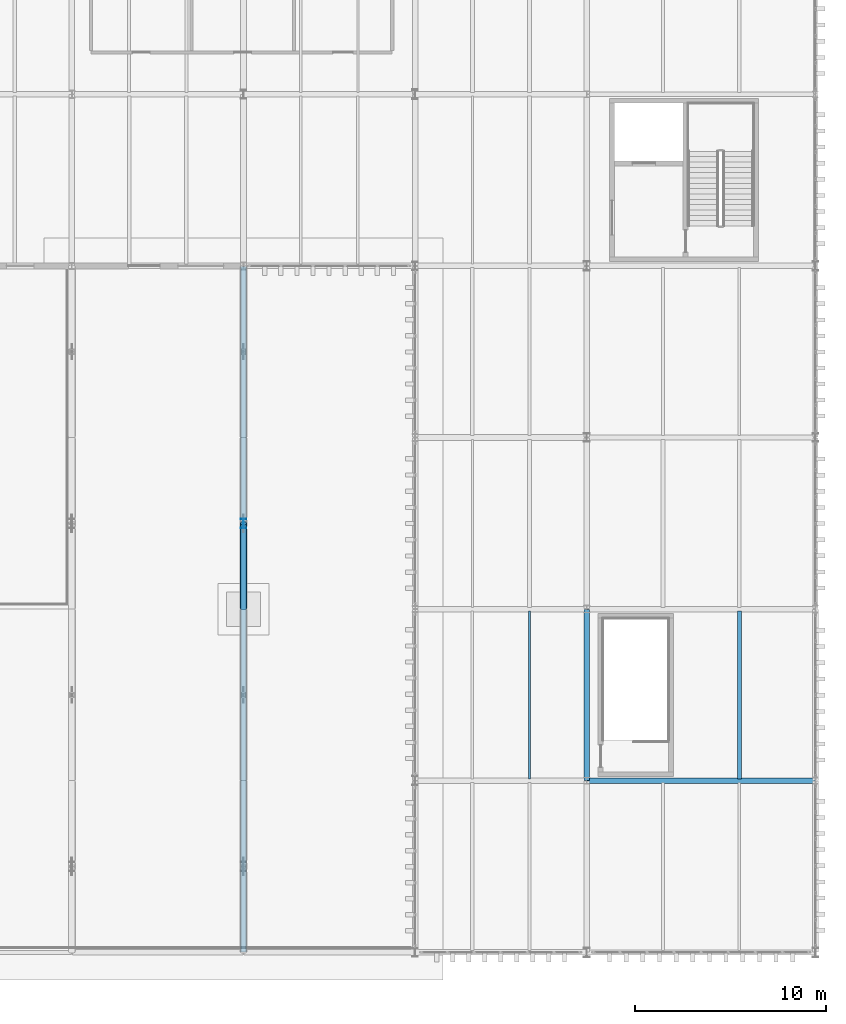
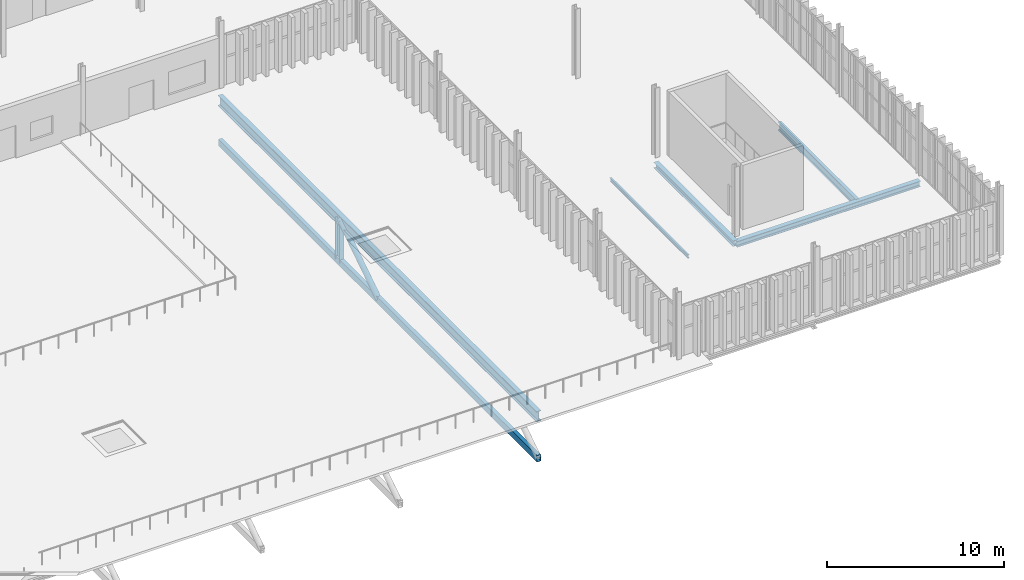
# One storey, part 108 of 196: 5 beams, 3 members.
"""IFC4 building model written with IfcOpenShell, lengths in metres."""

from ifc_helpers import new_model, si_unit, direction, frame, origin, origin_2d, place, context, subcontext, project, spatial, hollow_rectangle, hollow_circle, i_section, extrude, material, material_profile, profile_set, type_object, element, save


model = new_model("IFC4")

# Units and contexts
model_context = context("Model", 3, precision=1e-05, world=origin(), true_north=direction((0.0, 1.0)))
body_context = subcontext(model_context, "Body", "Model", "MODEL_VIEW")
ifc_project = project(units=[si_unit("LENGTHUNIT", "METRE"), si_unit("AREAUNIT", "SQUARE_METRE"), si_unit("VOLUMEUNIT", "CUBIC_METRE"), si_unit("PLANEANGLEUNIT", "RADIAN"), si_unit("MASSUNIT", "GRAM", prefix="KILO")], contexts=[model_context])

# Site, building, storey
site_placement = place(None, origin())
site = spatial("IfcSite", under=ifc_project, at=site_placement, CompositionType="ELEMENT")
building_placement = place(site_placement, origin())
building = spatial("IfcBuilding", under=site, at=building_placement, Name="Barlavento Convention Centre", CompositionType="ELEMENT")
storey_placement = place(building_placement, frame((0.0, 0.0, 18.0)))
storey = spatial("IfcBuildingStorey", under=building, at=storey_placement, Name="L03", CompositionType="ELEMENT", Elevation=18.0)

# Beams
ifc_material_1 = material(Name="Steel S355", Category="steel")
ifc_material_profile_1 = material_profile(ifc_material_1, i_section(OverallWidth=0.1201171875, OverallDepth=0.239990234375, WebThickness=0.006103515625, FlangeThickness=0.009765625, FilletRadius=0.014892578125, at=origin_2d()), Name="IPE 240")
ifc_profile_set_1 = profile_set([ifc_material_profile_1], Name="Steel S355")
beam_type_1 = type_object("IfcBeamType", Name="STR-BM-JST-IPE240", PredefinedType="JOIST", material=ifc_profile_set_1)
beam_1_placement = place(storey_placement, frame((177.0, 9.094970703125, -0.510009765625), z_axis=(0.0, 1.0, 0.0), x_axis=(-1.0, 0.0, 0.0)))
element("IfcBeam", 1, at=beam_1_placement, inside=storey, type_object=beam_type_1, Name="L03 composite floor joist SJ09", PredefinedType="JOIST", context=body_context, shape_type="SweptSolid", body=[
    extrude(i_section(OverallWidth=0.1201171875, OverallDepth=0.239990234375, WebThickness=0.006103515625, FlangeThickness=0.009765625, FilletRadius=0.014892578125, at=origin_2d()), origin(), (0.0, 0.0, 1.0), 8.81005859375),
])
ifc_material_profile_2 = material_profile(ifc_material_1, i_section(OverallWidth=0.2099609375, OverallDepth=0.550048828125, WebThickness=0.010986328125, FlangeThickness=0.01708984375, FilletRadius=0.02392578125, at=origin_2d()), Name="IPE 550")
ifc_profile_set_2 = profile_set([ifc_material_profile_2], Name="Steel S355")
beam_type_2 = type_object("IfcBeamType", Name="STR-BM-JST-IPE550", PredefinedType="JOIST", material=ifc_profile_set_2)
beam_2_placement = place(storey_placement, frame((188.0, 9.094970703125, -0.6650390625), z_axis=(0.0, 1.0, 0.0), x_axis=(-1.0, 0.0, 0.0)))
element("IfcBeam", 2, at=beam_2_placement, inside=storey, type_object=beam_type_2, Name="L03 composite floor joist SJ01", PredefinedType="JOIST", context=body_context, shape_type="SweptSolid", body=[
    extrude(i_section(OverallWidth=0.2099609375, OverallDepth=0.550048828125, WebThickness=0.010986328125, FlangeThickness=0.01708984375, FilletRadius=0.02392578125, at=origin_2d()), origin(), (0.0, 0.0, 1.0), 8.81005859375),
])
ifc_material_profile_3 = material_profile(ifc_material_1, i_section(OverallWidth=0.300048828125, OverallDepth=0.389892578125, WebThickness=0.010986328125, FlangeThickness=0.01904296875, FilletRadius=0.027099609375, at=origin_2d()), Name="HEA 400")
ifc_profile_set_3 = profile_set([ifc_material_profile_3], Name="Steel S355")
beam_type_3 = type_object("IfcBeamType", Name="STR-BM-PRI-HEA400", PredefinedType="BEAM", material=ifc_profile_set_3)
beam_3_placement = place(storey_placement, frame((180.0, 9.02001953125, -0.5849609375), z_axis=(0.0, 1.0, 0.0), x_axis=(-1.0, 0.0, 0.0)))
element("IfcBeam", 3, at=beam_3_placement, inside=storey, type_object=beam_type_3, Name="L03 grid girder BG22", PredefinedType="BEAM", context=body_context, shape_type="SweptSolid", body=[
    extrude(i_section(OverallWidth=0.300048828125, OverallDepth=0.389892578125, WebThickness=0.010986328125, FlangeThickness=0.01904296875, FilletRadius=0.027099609375, at=origin_2d()), origin(), (0.0, 0.0, 1.0), 8.9599609375),
])
ifc_material_profile_4 = material_profile(ifc_material_1, i_section(OverallWidth=0.300048828125, OverallDepth=0.39990234375, WebThickness=0.013427734375, FlangeThickness=0.02392578125, FilletRadius=0.027099609375, at=origin_2d()), Name="HEB 400")
ifc_profile_set_4 = profile_set([ifc_material_profile_4], Name="Steel S355")
beam_type_4 = type_object("IfcBeamType", Name="STR-BM-PRI-HEB400", PredefinedType="BEAM", material=ifc_profile_set_4)
beam_4_placement = place(storey_placement, frame((180.02001953125, 9.0, -0.590087890625), z_axis=(1.0, 0.0, 0.0), x_axis=(0.0, 1.0, 0.0)))
element("IfcBeam", 4, at=beam_4_placement, inside=storey, type_object=beam_type_4, Name="L03 primary girder BG11", PredefinedType="BEAM", context=body_context, shape_type="SweptSolid", body=[
    extrude(i_section(OverallWidth=0.300048828125, OverallDepth=0.39990234375, WebThickness=0.013427734375, FlangeThickness=0.02392578125, FilletRadius=0.027099609375, at=origin_2d()), origin(), (0.0, 0.0, 1.0), 11.9599609375),
])
ifc_material_2 = material(Name="Steel S460", Category="steel")
ifc_material_profile_5 = material_profile(ifc_material_2, i_section(OverallWidth=0.303955078125, OverallDepth=0.716064453125, WebThickness=0.02099609375, FlangeThickness=0.0400390625, FilletRadius=0.027099609375, at=origin_2d()), Name="HEM 700")
ifc_profile_set_5 = profile_set([ifc_material_profile_5], Name="Steel S460")
beam_type_5 = type_object("IfcBeamType", Name="STR-BM-TRF-HEM700", PredefinedType="USERDEFINED", material=ifc_profile_set_5)
beam_5_placement = place(storey_placement, frame((162.0, 0.02001953125, -0.748046875), z_axis=(0.0, 1.0, 0.0), x_axis=(-1.0, 0.0, 0.0)))
element("IfcBeam", 5, at=beam_5_placement, inside=storey, type_object=beam_type_5, Name="Ballroom transfer truss top chord TG02", ObjectType="TRANSFER_GIRDER", PredefinedType="USERDEFINED", context=body_context, shape_type="SweptSolid", body=[
    extrude(i_section(OverallWidth=0.303955078125, OverallDepth=0.716064453125, WebThickness=0.02099609375, FlangeThickness=0.0400390625, FilletRadius=0.027099609375, at=origin_2d()), origin(), (0.0, 0.0, 1.0), 35.9599609375),
])

# Members
ifc_material_profile_6 = material_profile(ifc_material_1, hollow_circle(Radius=0.177734375, WallThickness=0.01611328125, at=origin_2d()), Name="CHS 355.6x16.0")
ifc_profile_set_6 = profile_set([ifc_material_profile_6], Name="Steel S355")
member_type_1 = type_object("IfcMemberType", Name="STR-MEM-CHD-CHS355", PredefinedType="CHORD", material=ifc_profile_set_6)
member_1_placement = place(storey_placement, frame((162.0, 18.050048828125, -3.64990234375), z_axis=(0.0, 0.837635280433, 0.5462299305), x_axis=(-1.0, 0.0, 0.0)))
element("IfcMember", 6, at=member_1_placement, inside=storey, type_object=member_type_1, Name="Ballroom transfer truss diagonal TC01", PredefinedType="CHORD", context=body_context, shape_type="SweptSolid", body=[
    extrude(hollow_circle(Radius=0.177734375, WallThickness=0.01611328125, at=origin_2d()), origin(), (0.0, 0.0, 1.0), 5.3125),
])
ifc_material_profile_7 = material_profile(ifc_material_2, hollow_rectangle(XDim=0.25, YDim=0.449951171875, WallThickness=0.01611328125, at=origin_2d()), Name="RHS 450x250x16.0")
ifc_profile_set_7 = profile_set([ifc_material_profile_7], Name="Steel S460")
member_type_2 = type_object("IfcMemberType", Name="STR-MEM-CHD-RHS450", PredefinedType="CHORD", material=ifc_profile_set_7)
member_2_placement = place(storey_placement, frame((162.0, 0.02001953125, -3.64990234375), z_axis=(0.0, 1.0, 0.0), x_axis=(-1.0, 0.0, 0.0)))
element("IfcMember", 7, at=member_2_placement, inside=storey, type_object=member_type_2, Name="Ballroom transfer truss bottom chord", PredefinedType="CHORD", context=body_context, shape_type="SweptSolid", body=[
    extrude(hollow_rectangle(XDim=0.25, YDim=0.449951171875, WallThickness=0.01611328125, at=origin_2d()), origin(), (0.0, 0.0, 1.0), 35.9599609375),
])
ifc_material_profile_8 = material_profile(ifc_material_2, i_section(OverallWidth=0.300048828125, OverallDepth=0.5, WebThickness=0.014404296875, FlangeThickness=0.028076171875, FilletRadius=0.027099609375, at=origin_2d()), Name="HEB 500")
ifc_profile_set_8 = profile_set([ifc_material_profile_8], Name="Steel S460")
member_type_3 = type_object("IfcMemberType", Name="STR-MEM-STRUT-HEB500", PredefinedType="STRUT", material=ifc_profile_set_8)
member_3_placement = place(storey_placement, frame((162.0, 22.5, -3.64990234375), z_axis=(0.0, 0.0, 1.0), x_axis=(1.0, 0.0, 0.0)))
element("IfcMember", 8, at=member_3_placement, inside=storey, type_object=member_type_3, Name="Ballroom transfer truss vertical post", PredefinedType="STRUT", context=body_context, shape_type="SweptSolid", body=[
    extrude(i_section(OverallWidth=0.300048828125, OverallDepth=0.5, WebThickness=0.014404296875, FlangeThickness=0.028076171875, FilletRadius=0.027099609375, at=origin_2d()), origin(), (0.0, 0.0, 1.0), 2.90185546875),
])

save(model, "model.ifc")
